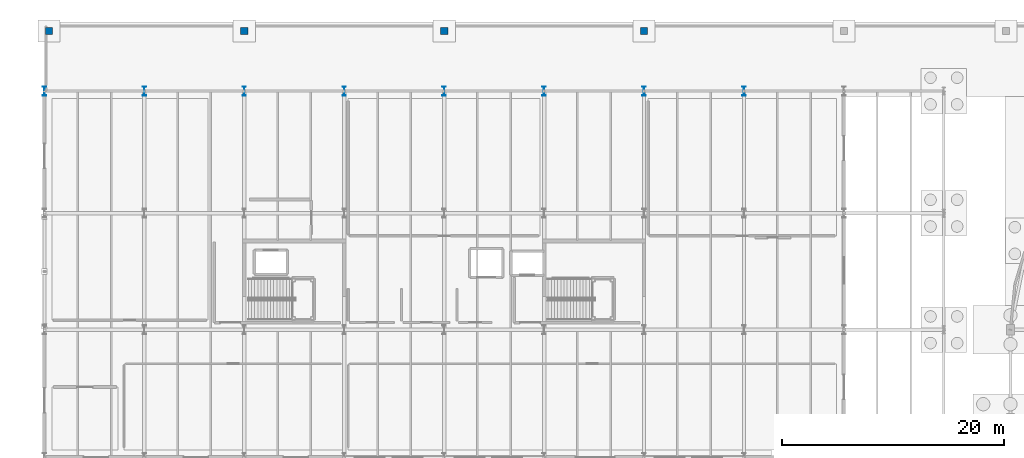
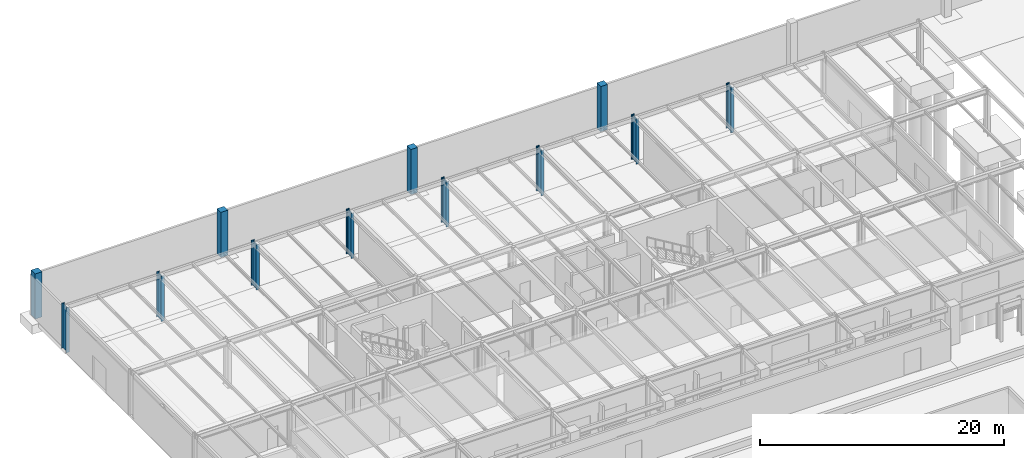
# One storey, part 37 of 160: 12 columns.
"""IFC4 building model written with IfcOpenShell, lengths in metres."""

from ifc_helpers import new_model, si_unit, direction, frame, origin, origin_2d, place, context, subcontext, project, spatial, rectangle, i_section, extrude, material, material_profile, profile_set, type_object, element, save


model = new_model("IFC4")

# Units and contexts
model_context = context("Model", 3, precision=1e-05, world=origin(), true_north=direction((0.0, 1.0)))
body_context = subcontext(model_context, "Body", "Model", "MODEL_VIEW")
ifc_project = project(units=[si_unit("LENGTHUNIT", "METRE"), si_unit("AREAUNIT", "SQUARE_METRE"), si_unit("VOLUMEUNIT", "CUBIC_METRE"), si_unit("PLANEANGLEUNIT", "RADIAN"), si_unit("MASSUNIT", "GRAM", prefix="KILO")], contexts=[model_context])

# Site, building, storey
site_placement = place(None, origin())
site = spatial("IfcSite", under=ifc_project, at=site_placement, CompositionType="ELEMENT")
building_placement = place(site_placement, origin())
building = spatial("IfcBuilding", under=site, at=building_placement, Name="Marlcrest Central Station", CompositionType="ELEMENT")
storey_placement = place(building_placement, origin())
storey = spatial("IfcBuildingStorey", under=building, at=storey_placement, Name="L00", CompositionType="ELEMENT", Elevation=0.0)

# Columns
ifc_material_1 = material(Name="Concrete C50/60", Category="concrete")
ifc_material_profile_1 = material_profile(ifc_material_1, rectangle(XDim=0.64990234375, YDim=0.64990234375, at=origin_2d()), Name="RC 650x650")
ifc_profile_set_1 = profile_set([ifc_material_profile_1], Name="Concrete C50/60")
column_type_1 = type_object("IfcColumnType", Name="RC-05", PredefinedType="COLUMN", material=ifc_profile_set_1)
for number, where, z_axis, x_axis, name in (
    (1, (0.39990234375, 137.39990234375, 0.0), (0.0, 0.0, 1.0), (1.0, 0.0, 0.0), "col-RC-05-L00-0386"),
    (2, (18.0, 137.39990234375, 0.0), (0.0, 0.0, 1.0), (1.0, 0.0, 0.0), "col-RC-05-L00-0387"),
    (3, (36.0, 137.39990234375, 0.0), (0.0, 0.0, 1.0), (1.0, 0.0, 0.0), "col-RC-05-L00-0388"),
    (4, (54.0, 137.39990234375, 0.0), (0.0, 0.0, 1.0), (1.0, 0.0, 0.0), "col-RC-05-L00-0389"),
):
    element("IfcColumn", number, at=place(storey_placement, frame(where, z_axis=z_axis, x_axis=x_axis)), inside=storey, type_object=column_type_1, Name=name, PredefinedType="COLUMN", context=body_context, shape_type="SweptSolid", body=[
        extrude(rectangle(XDim=0.64990234375, YDim=0.64990234375, at=origin_2d()), origin(), (0.0, 0.0, 1.0), 4.52490234375),
    ])
ifc_material_2 = material(Name="Steel S355", Category="steel")
ifc_material_profile_2 = material_profile(ifc_material_2, i_section(OverallWidth=0.300048828125, OverallDepth=0.800048828125, WebThickness=0.017578125, FlangeThickness=0.032958984375, FilletRadius=0.030029296875, at=origin_2d()), Name="HEB 800")
ifc_profile_set_2 = profile_set([ifc_material_profile_2], Name="Steel S355")
column_type_2 = type_object("IfcColumnType", Name="SC-08", PredefinedType="COLUMN", material=ifc_profile_set_2)
for number, where, z_axis, x_axis, name in (
    (5, (0.0, 132.0, 0.0), (0.0, 0.0, 1.0), (1.0, 0.0, 0.0), "col-SC-08-L00-0040"),
    (6, (9.0, 132.0, 0.0), (0.0, 0.0, 1.0), (1.0, 0.0, 0.0), "col-SC-08-L00-0044"),
    (7, (18.0, 132.0, 0.0), (0.0, 0.0, 1.0), (1.0, 0.0, 0.0), "col-SC-08-L00-0048"),
    (8, (27.0, 132.0, 0.0), (0.0, 0.0, 1.0), (1.0, 0.0, 0.0), "col-SC-08-L00-0052"),
    (9, (36.0, 132.0, 0.0), (0.0, 0.0, 1.0), (1.0, 0.0, 0.0), "col-SC-08-L00-0056"),
    (10, (45.0, 132.0, 0.0), (0.0, 0.0, 1.0), (1.0, 0.0, 0.0), "col-SC-08-L00-0060"),
    (11, (54.0, 132.0, 0.0), (0.0, 0.0, 1.0), (1.0, 0.0, 0.0), "col-SC-08-L00-0064"),
    (12, (63.0, 132.0, 0.0), (0.0, 0.0, 1.0), (1.0, 0.0, 0.0), "col-SC-08-L00-0068"),
):
    element("IfcColumn", number, at=place(storey_placement, frame(where, z_axis=z_axis, x_axis=x_axis)), inside=storey, type_object=column_type_2, Name=name, PredefinedType="COLUMN", context=body_context, shape_type="SweptSolid", body=[
        extrude(i_section(OverallWidth=0.300048828125, OverallDepth=0.800048828125, WebThickness=0.017578125, FlangeThickness=0.032958984375, FilletRadius=0.030029296875, at=origin_2d()), origin(), (0.0, 0.0, 1.0), 4.52001953125),
    ])

save(model, "model.ifc")
